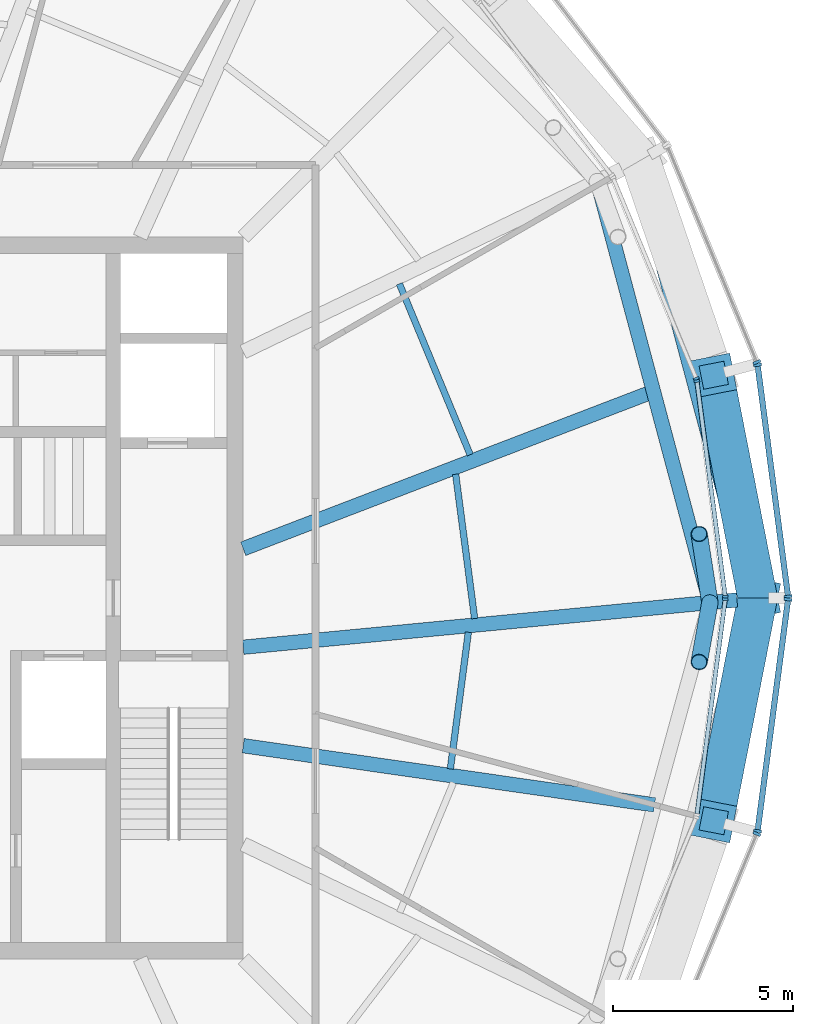
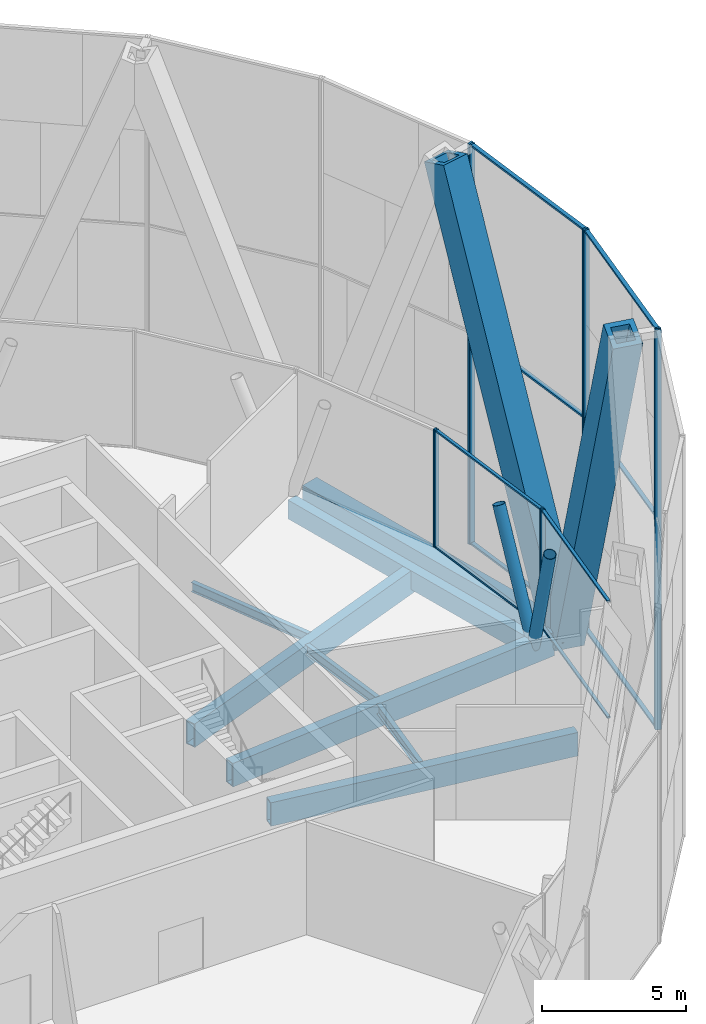
# One storey, part 5 of 15: 24 members, 8 beams, 7 elements without a shape of their own.
"""IFC4 building model written with IfcOpenShell, lengths in metres."""

import ifcopenshell
import ifcopenshell.guid

model = None  # the IFC model being written
_history = None  # IfcOwnerHistory: only IFC2X3 demands one
_inside = {}  # id of a spatial element -> (the spatial element, [elements in it])
_under = {}  # id of a project, library or spatial element -> (it, [spatial elements below it])
_declared = {}  # id of a project -> (the project, [libraries it declares])
_typed = {}  # id of a type object -> (the type object, [elements of that type])
_made_of = {}  # id of a material, layer set ... -> (it, [elements and type objects made of it])


def new_model(schema):
    """Start an empty IFC model of exactly this schema.

    Asked for "IFC4X3", IfcOpenShell would pick the latest addendum, in which some entities
    have other attributes; the version numbers below select the first issue.
    IFC2X3 requires an IfcOwnerHistory on every rooted entity: one is made here for all.
    """
    global model, _history
    if schema == "IFC4X3":
        model = ifcopenshell.file(schema_version=(4, 3, 0, 0))
    else:
        model = ifcopenshell.file(schema=schema)
    _inside.clear()
    _under.clear()
    _declared.clear()
    _typed.clear()
    _made_of.clear()
    _history = None
    if model.schema == "IFC2X3":
        org = make("IfcOrganization", Name="unknown")
        user = make(
            "IfcPersonAndOrganization",
            ThePerson=make("IfcPerson", FamilyName="unknown"),
            TheOrganization=org,
        )
        app = make(
            "IfcApplication",
            ApplicationDeveloper=org,
            Version="unknown",
            ApplicationFullName="unknown",
            ApplicationIdentifier="unknown",
        )
        _history = make(
            "IfcOwnerHistory",
            OwningUser=user,
            OwningApplication=app,
            ChangeAction="ADDED",
            CreationDate=0,
        )
    return model


def make(cls, **values):
    """One entity of the class cls with the attributes given. An attribute that is None is left unset."""
    return model.create_entity(
        cls, **{name: value for name, value in values.items() if value is not None}
    )


def rooted(cls, **values):
    """An entity with a GlobalId (a new one), such as an element, a storey or a relation."""
    return make(cls, GlobalId=ifcopenshell.guid.new(), OwnerHistory=_history, **values)


def si_unit(unit_type, name, prefix=None):
    """IfcSIUnit, for example si_unit("LENGTHUNIT", "METRE", prefix="MILLI")."""
    return make("IfcSIUnit", UnitType=unit_type, Prefix=prefix, Name=name)


def assignment(units):
    """IfcUnitAssignment: the units of a project."""
    return None if units is None else make("IfcUnitAssignment", Units=units)


def point(xyz):
    """IfcCartesianPoint."""
    return None if xyz is None else make("IfcCartesianPoint", Coordinates=xyz)


def direction(xyz):
    """IfcDirection."""
    return None if xyz is None else make("IfcDirection", DirectionRatios=xyz)


def frame(location, z_axis=None, x_axis=None):
    """IfcAxis2Placement3D, a coordinate frame: its origin and axes. An axis left out is left unset."""
    return make(
        "IfcAxis2Placement3D",
        Location=point(location),
        Axis=direction(z_axis),
        RefDirection=direction(x_axis),
    )


def frame_2d(location, x_axis=None):
    """IfcAxis2Placement2D, a coordinate frame in the plane: its origin and x axis."""
    return make(
        "IfcAxis2Placement2D", Location=point(location), RefDirection=direction(x_axis)
    )


def origin():
    """The frame at (0, 0, 0) with its axes left unset."""
    return frame((0.0, 0.0, 0.0))


def origin_2d():
    """The frame at (0, 0) in the plane with its x axis left unset."""
    return frame_2d((0.0, 0.0))


def place(relative_to, where):
    """IfcLocalPlacement: puts the frame where relative to a parent placement (None: the world)."""
    return make(
        "IfcLocalPlacement", PlacementRelTo=relative_to, RelativePlacement=where
    )


def context(
    kind, dimensions, precision=None, world=None, true_north=None, identifier=None
):
    """IfcGeometricRepresentationContext, for example the 3D "Model" context."""
    return make(
        "IfcGeometricRepresentationContext",
        ContextIdentifier=identifier,
        ContextType=kind,
        CoordinateSpaceDimension=dimensions,
        Precision=precision,
        WorldCoordinateSystem=world,
        TrueNorth=true_north,
    )


def subcontext(parent, identifier, kind, view, scale=None):
    """IfcGeometricRepresentationSubContext, for example "Body" below "Model"."""
    return make(
        "IfcGeometricRepresentationSubContext",
        ContextIdentifier=identifier,
        ContextType=kind,
        ParentContext=parent,
        TargetScale=scale,
        TargetView=view,
    )


def project(units=None, contexts=None):
    """IfcProject with its units and contexts."""
    return rooted(
        "IfcProject",
        Name="project",
        RepresentationContexts=contexts,
        UnitsInContext=assignment(units),
    )


def spatial(cls, under=None, at=None, **own):
    """A site, building, storey or space (cls), placed at a placement, below another one or the project."""
    s = rooted(cls, ObjectPlacement=at, **own)
    if under is not None:
        _under.setdefault(under.id(), (under, []))[1].append(s)
    return s


def profile(cls, at=None, kind="AREA", **sizes):
    """A parametric profile (cls). Its sizes go by their IFC names, for example OverallWidth=200.0."""
    return make(cls, ProfileType=kind, Position=at, **sizes)


def rectangle(**sizes):
    """IfcRectangleProfileDef."""
    return profile("IfcRectangleProfileDef", **sizes)


def hollow_rectangle(**sizes):
    """IfcRectangleHollowProfileDef."""
    return profile("IfcRectangleHollowProfileDef", **sizes)


def hollow_circle(**sizes):
    """IfcCircleHollowProfileDef."""
    return profile("IfcCircleHollowProfileDef", **sizes)


def i_section(**sizes):
    """IfcIShapeProfileDef."""
    return profile("IfcIShapeProfileDef", **sizes)


def extrude(swept, where, along, depth):
    """IfcExtrudedAreaSolid: the profile swept, set in the frame where, extruded along a direction by depth."""
    return make(
        "IfcExtrudedAreaSolid",
        SweptArea=swept,
        Position=where,
        ExtrudedDirection=direction(along),
        Depth=depth,
    )


def shape(context_of_items, identifier, shape_type, items):
    """IfcShapeRepresentation: the items that make up one representation, for example the "Body"."""
    return make(
        "IfcShapeRepresentation",
        ContextOfItems=context_of_items,
        RepresentationIdentifier=identifier,
        RepresentationType=shape_type,
        Items=items,
    )


def material(Name=None, Category=None):
    """IfcMaterial."""
    return make("IfcMaterial", Name=Name, Category=Category)


def material_profile(
    of_material, cross_section, Name=None, Category=None, Priority=None
):
    """IfcMaterialProfile: a cross section and its material."""
    return make(
        "IfcMaterialProfile",
        Name=Name,
        Material=of_material,
        Profile=cross_section,
        Priority=Priority,
        Category=Category,
    )


def profile_set(profiles, Name=None, composite=None):
    """IfcMaterialProfileSet."""
    return make(
        "IfcMaterialProfileSet",
        Name=Name,
        MaterialProfiles=profiles,
        CompositeProfile=composite,
    )


def made_of(thing, what):
    """Note that an element or type object is made of a material, layer set ...; save() writes the relation."""
    if what is not None:
        _made_of.setdefault(what.id(), (what, []))[1].append(thing)
    return thing


def type_object(cls, material=None, **own):
    """A type object (cls), such as IfcWallType, which elements share."""
    return made_of(rooted(cls, **own), material)


def element(
    cls,
    number,
    at=None,
    inside=None,
    cuts=None,
    type_object=None,
    material=None,
    context=None,
    identifier="Body",
    shape_type=None,
    held_by="IfcProductDefinitionShape",
    body=None,
    shapes=None,
    **own,
):
    """One element of the class cls, such as IfcWall. Its Tag is "e" and its number.

    at: its placement. inside: the storey or other place that contains it. cuts: it is an
    opening in that element (IfcRelVoidsElement). A single representation is given by context,
    identifier, shape_type and body (its items); several are given by shapes. held_by: the class
    of the entity that holds the representations. save() writes the other relations.
    """
    e = rooted(cls, Tag="e%d" % number, ObjectPlacement=at, **own)
    if body is not None:
        shapes = [shape(context, identifier, shape_type, body)]
    if shapes is not None:
        e.Representation = make(held_by, Representations=shapes)
    if inside is not None:
        _inside.setdefault(inside.id(), (inside, []))[1].append(e)
    if cuts is not None:
        rooted(
            "IfcRelVoidsElement", RelatingBuildingElement=cuts, RelatedOpeningElement=e
        )
    if type_object is not None:
        _typed.setdefault(type_object.id(), (type_object, []))[1].append(e)
    return made_of(e, material)


def aggregate(whole, parts):
    """IfcRelAggregates: a whole, such as a stair, and the parts it consists of."""
    return rooted("IfcRelAggregates", RelatingObject=whole, RelatedObjects=parts)


def save(model, path):
    """Write the relations noted so far, then the file.

    IfcRelAggregates (storeys below a building ...), IfcRelContainedInSpatialStructure (elements
    in a storey), IfcRelDefinesByType, IfcRelAssociatesMaterial and IfcRelDeclares: one each for
    every whole, place, type object, material and project.
    """
    for whole, parts in _under.values():
        aggregate(whole, parts)
    for where, things in _inside.values():
        rooted(
            "IfcRelContainedInSpatialStructure",
            RelatedElements=things,
            RelatingStructure=where,
        )
    for kind, things in _typed.values():
        rooted("IfcRelDefinesByType", RelatedObjects=things, RelatingType=kind)
    for what, things in _made_of.values():
        rooted("IfcRelAssociatesMaterial", RelatedObjects=things, RelatingMaterial=what)
    for by, libraries in _declared.values():
        rooted("IfcRelDeclares", RelatingContext=by, RelatedDefinitions=libraries)
    model.write(path)


model = new_model("IFC4")

# Units and contexts
model_context = context("Model", 3, precision=1e-05, world=origin(), true_north=direction((0.0, 1.0)))
body_context = subcontext(model_context, "Body", "Model", "MODEL_VIEW")
ifc_project = project(units=[si_unit("LENGTHUNIT", "METRE"), si_unit("AREAUNIT", "SQUARE_METRE"), si_unit("VOLUMEUNIT", "CUBIC_METRE"), si_unit("PLANEANGLEUNIT", "RADIAN"), si_unit("MASSUNIT", "GRAM", prefix="KILO")], contexts=[model_context])

# Site, building, storey
site_placement = place(None, origin())
site = spatial("IfcSite", under=ifc_project, at=site_placement, CompositionType="ELEMENT")
building_placement = place(site_placement, origin())
building = spatial("IfcBuilding", under=site, at=building_placement, Name="Golbaran Civic Tower", CompositionType="ELEMENT")
storey_placement = place(building_placement, frame((0.0, 0.0, 215.0)))
storey = spatial("IfcBuildingStorey", under=building, at=storey_placement, Name="L52", CompositionType="ELEMENT", Elevation=215.0)

# Members
ifc_material_1 = material(Name="Steel S355", Category="steel")
ifc_material_profile_1 = material_profile(ifc_material_1, hollow_circle(Radius=0.228515625, WallThickness=0.02001953125, at=origin_2d()), Name="CHS 457.0x20")
ifc_profile_set_1 = profile_set([ifc_material_profile_1], Name="Steel S355")
member_type_1 = type_object("IfcMemberType", Name="BELT TRUSS DIAGONAL CHS 457.0x20", PredefinedType="BRACE", material=ifc_profile_set_1)
member_1_placement = place(storey_placement, frame((22.934814453125, -0.12646484375, -0.60009765625), z_axis=(-0.055639608411, 0.354890475268, 0.933250761875), x_axis=(-0.987932089453, -0.154887658092, 0.0)))
element("IfcMember", 1, at=member_1_placement, inside=storey, type_object=member_type_1, Name="Belt truss diagonal 0.00R L52", PredefinedType="BRACE", context=body_context, shape_type="SweptSolid", body=[
    extrude(hollow_circle(Radius=0.228515625, WallThickness=0.02001953125, at=origin_2d()), origin(), (0.0, 0.0, 1.0), 5.357666015625),
])
member_2_placement = place(storey_placement, frame((22.934814453125, -0.12646484375, -0.60009765625), z_axis=(-0.056530761849, -0.312609094187, 0.948198200376), x_axis=(0.98403968952, -0.177949120395, 0.0)))
element("IfcMember", 2, at=member_2_placement, inside=storey, type_object=member_type_1, Name="Belt truss diagonal 0.00L L52", PredefinedType="BRACE", context=body_context, shape_type="SweptSolid", body=[
    extrude(hollow_circle(Radius=0.228515625, WallThickness=0.02001953125, at=origin_2d()), origin(), (0.0, 0.0, 1.0), 5.273193359375),
])
ifc_material_profile_2 = material_profile(ifc_material_1, hollow_rectangle(XDim=1.10009765625, YDim=1.10009765625, WallThickness=0.199951171875, at=origin_2d()), Name="BOX 1100x1100x200")
ifc_profile_set_2 = profile_set([ifc_material_profile_2], Name="Steel S355")
member_type_2 = type_object("IfcMemberType", Name="DIAGRID DIAGONAL BOX 1100x1100x200", PredefinedType="BRACE", material=ifc_profile_set_2)
for number, where, z_axis, x_axis, name in (
    (3, (24.256103515625, 0.0, -0.7099609375), (-0.066964133715, 0.340598547368, 0.937821109981), (-0.981215652591, -0.192914082197, 0.0), "Diagonal D12-00R L52-L56"),
    (4, (24.256103515625, 0.0, -0.7099609375), (-0.066964133715, -0.340598547368, 0.937821109981), (0.981215652591, -0.192914082197, 0.0), "Diagonal D12-00L L52-L56"),
):
    element("IfcMember", number, at=place(storey_placement, frame(where, z_axis=z_axis, x_axis=x_axis)), inside=storey, type_object=member_type_2, Name=name, PredefinedType="BRACE", context=body_context, shape_type="SweptSolid", body=[
        extrude(hollow_rectangle(XDim=1.10009765625, YDim=1.10009765625, WallThickness=0.199951171875, at=origin_2d()), origin(), (0.0, 0.0, 1.0), 18.127197265625),
    ])

# Beams
ifc_material_profile_3 = material_profile(ifc_material_1, hollow_rectangle(XDim=0.699951171875, YDim=0.699951171875, WallThickness=0.080078125, at=origin_2d()), Name="BOX 700x700x80")
ifc_profile_set_3 = profile_set([ifc_material_profile_3], Name="Steel S355")
beam_type_1 = type_object("IfcBeamType", Name="DIAGRID RING TIE BOX 700x700x80", PredefinedType="BEAM", material=ifc_profile_set_3)
beam_1_placement = place(storey_placement, frame((24.256103515625, 0.0, -0.7099609375), z_axis=(-0.258825502121, 0.965924096113, 0.0), x_axis=(-0.965924096113, -0.258825502121, 0.0)))
element("IfcBeam", 5, at=beam_1_placement, inside=storey, type_object=beam_type_1, Name="Ring tie 0.00 L52", PredefinedType="BEAM", context=body_context, shape_type="SweptSolid", body=[
    extrude(hollow_rectangle(XDim=0.699951171875, YDim=0.699951171875, WallThickness=0.080078125, at=origin_2d()), origin(), (0.0, 0.0, 1.0), 12.5556640625),
])
ifc_material_profile_4 = material_profile(ifc_material_1, hollow_rectangle(XDim=0.39990234375, YDim=0.800048828125, WallThickness=0.0400390625, at=origin_2d()), Name="BOX 800x400x40")
ifc_profile_set_4 = profile_set([ifc_material_profile_4], Name="Steel S355")
beam_type_2 = type_object("IfcBeamType", Name="EDGE BEAM BOX 800x400x40", PredefinedType="BEAM", material=ifc_profile_set_4)
beam_2_placement = place(storey_placement, frame((22.8876953125, 0.0498046875, -0.60009765625), z_axis=(-0.258227728075, 0.966084075251, 0.0), x_axis=(-0.966084075251, -0.258227728075, 0.0)))
element("IfcBeam", 6, at=beam_2_placement, inside=storey, type_object=beam_type_2, Name="Edge beam 0.00 L52", PredefinedType="BEAM", context=body_context, shape_type="SweptSolid", body=[
    extrude(hollow_rectangle(XDim=0.39990234375, YDim=0.800048828125, WallThickness=0.0400390625, at=origin_2d()), origin(), (0.0, 0.0, 1.0), 11.7236328125),
])
ifc_material_profile_5 = material_profile(ifc_material_1, i_section(OverallWidth=0.179931640625, OverallDepth=0.39990234375, WebThickness=0.008544921875, FlangeThickness=0.013427734375, FilletRadius=0.02099609375, at=origin_2d()), Name="IPE 400")
ifc_profile_set_5 = profile_set([ifc_material_profile_5], Name="Steel S355")
beam_type_3 = type_object("IfcBeamType", Name="FLOOR INFILL BEAM IPE 400", PredefinedType="BEAM", material=ifc_profile_set_5)
beam_3_placement = place(storey_placement, frame((16.41455078125, -0.569580078125, -0.39990234375), z_axis=(-0.130534349596, 0.991443787401, 0.0), x_axis=(-0.991443787401, -0.130534349596, 0.0)))
element("IfcBeam", 7, at=beam_3_placement, inside=storey, type_object=beam_type_3, Name="Infill beam 7.50 L52", PredefinedType="BEAM", context=body_context, shape_type="SweptSolid", body=[
    extrude(i_section(OverallWidth=0.179931640625, OverallDepth=0.39990234375, WebThickness=0.008544921875, FlangeThickness=0.013427734375, FilletRadius=0.02099609375, at=origin_2d()), origin(), (0.0, 0.0, 1.0), 4.0341796875),
])
beam_4_placement = place(storey_placement, frame((16.291015625, 3.970458984375, -0.39990234375), z_axis=(-0.382657320413, 0.923890348004, 0.0), x_axis=(-0.923890348004, -0.382657320413, 0.0)))
element("IfcBeam", 8, at=beam_4_placement, inside=storey, type_object=beam_type_3, Name="Infill beam 22.50 L52", PredefinedType="BEAM", context=body_context, shape_type="SweptSolid", body=[
    extrude(i_section(OverallWidth=0.179931640625, OverallDepth=0.39990234375, WebThickness=0.008544921875, FlangeThickness=0.013427734375, FilletRadius=0.02099609375, at=origin_2d()), origin(), (0.0, 0.0, 1.0), 5.12841796875),
])
beam_5_placement = place(storey_placement, frame((15.740966796875, -4.73779296875, -0.39990234375), z_axis=(0.130548685387, 0.991441899833, 0.0), x_axis=(-0.991441899833, 0.130548685387, 0.0)))
element("IfcBeam", 9, at=beam_5_placement, inside=storey, type_object=beam_type_3, Name="Infill beam 352.50 L52", PredefinedType="BEAM", context=body_context, shape_type="SweptSolid", body=[
    extrude(i_section(OverallWidth=0.179931640625, OverallDepth=0.39990234375, WebThickness=0.008544921875, FlangeThickness=0.013427734375, FilletRadius=0.02099609375, at=origin_2d()), origin(), (0.0, 0.0, 1.0), 3.822509765625),
])

# Curtain wall, members
ifc_material_2 = material(Name="Aluminium and glass", Category="aluminium")
curtain_wall_type_1 = type_object("IfcCurtainWallType", Name="OUTER SKIN TERRACOTTA SCREEN", PredefinedType="NOTDEFINED", material=ifc_material_2)
curtain_wall_1_placement = place(storey_placement, origin())
curtain_wall_1 = element("IfcCurtainWall", 10, at=curtain_wall_1_placement, inside=storey, type_object=curtain_wall_type_1, Name="Outer skin L52 facet 1 CW3", ObjectType="OUTER SKIN", PredefinedType="USERDEFINED")
ifc_material_3 = material(Name="Aluminium", Category="aluminium")
ifc_material_profile_6 = material_profile(ifc_material_3, rectangle(XDim=0.219970703125, YDim=0.080078125, at=origin_2d()), Name="OUTER SKIN TERRACOTTA SCREEN MULLION")
ifc_profile_set_6 = profile_set([ifc_material_profile_6], Name="Aluminium")
member_type_3 = type_object("IfcMemberType", Name="OUTER SKIN TERRACOTTA SCREEN MULLION", PredefinedType="MULLION", material=ifc_profile_set_6)
member_3_placement = place(storey_placement, frame((25.100830078125, 0.03955078125, -0.7099609375), z_axis=(0.0, 0.0, 1.0), x_axis=(-0.991444861376, -0.130526192203, 0.0)))
member_3 = element("IfcMember", 11, at=member_3_placement, type_object=member_type_3, Name="CW3 mullion 1", PredefinedType="MULLION", context=body_context, shape_type="SweptSolid", body=[
    extrude(rectangle(XDim=0.219970703125, YDim=0.080078125, at=origin_2d()), origin(), (0.0, 0.0, 1.0), 17.0),
])
member_4_placement = place(storey_placement, frame((24.255859375, 6.458251953125, -0.7099609375), z_axis=(0.0, 0.0, 1.0), x_axis=(-0.991444861376, -0.130526192203, 0.0)))
member_4 = element("IfcMember", 12, at=member_4_placement, type_object=member_type_3, Name="CW3 mullion 2", PredefinedType="MULLION", context=body_context, shape_type="SweptSolid", body=[
    extrude(rectangle(XDim=0.219970703125, YDim=0.080078125, at=origin_2d()), origin(), (0.0, 0.0, 1.0), 17.0),
])

# Curtain wall, member
curtain_wall_2_placement = place(storey_placement, origin())
curtain_wall_2 = element("IfcCurtainWall", 13, at=curtain_wall_2_placement, inside=storey, type_object=curtain_wall_type_1, Name="Outer skin L52 facet 2 CW3", ObjectType="OUTER SKIN", PredefinedType="USERDEFINED")
member_5_placement = place(storey_placement, frame((24.235107421875, 6.534912109375, -0.7099609375), z_axis=(0.0, 0.0, 1.0), x_axis=(-0.923879532485, -0.38268343243, 0.0)))
member_5 = element("IfcMember", 14, at=member_5_placement, type_object=member_type_3, Name="CW3 mullion 1", PredefinedType="MULLION", context=body_context, shape_type="SweptSolid", body=[
    extrude(rectangle(XDim=0.219970703125, YDim=0.080078125, at=origin_2d()), origin(), (0.0, 0.0, 1.0), 17.0),
])
aggregate(curtain_wall_2, [member_5])

curtain_wall_3_placement = place(storey_placement, origin())
curtain_wall_3 = element("IfcCurtainWall", 15, at=curtain_wall_3_placement, inside=storey, type_object=curtain_wall_type_1, Name="Outer skin L52 facet 23 CW3", ObjectType="OUTER SKIN", PredefinedType="USERDEFINED")
member_6_placement = place(storey_placement, frame((24.235107421875, -6.534912109375, -0.7099609375), z_axis=(0.0, 0.0, 1.0), x_axis=(-0.923879532485, 0.38268343243, 0.0)))
member_6 = element("IfcMember", 16, at=member_6_placement, type_object=member_type_3, Name="CW3 mullion 2", PredefinedType="MULLION", context=body_context, shape_type="SweptSolid", body=[
    extrude(rectangle(XDim=0.219970703125, YDim=0.080078125, at=origin_2d()), origin(), (0.0, 0.0, 1.0), 17.0),
])
aggregate(curtain_wall_3, [member_6])

# Curtain wall, members
curtain_wall_4_placement = place(storey_placement, origin())
curtain_wall_4 = element("IfcCurtainWall", 17, at=curtain_wall_4_placement, inside=storey, type_object=curtain_wall_type_1, Name="Outer skin L52 facet 24 CW3", ObjectType="OUTER SKIN", PredefinedType="USERDEFINED")
member_7_placement = place(storey_placement, frame((24.255859375, -6.458251953125, -0.7099609375), z_axis=(0.0, 0.0, 1.0), x_axis=(-0.991444861376, 0.130526192203, 0.0)))
member_7 = element("IfcMember", 18, at=member_7_placement, type_object=member_type_3, Name="CW3 mullion 1", PredefinedType="MULLION", context=body_context, shape_type="SweptSolid", body=[
    extrude(rectangle(XDim=0.219970703125, YDim=0.080078125, at=origin_2d()), origin(), (0.0, 0.0, 1.0), 17.0),
])
member_8_placement = place(storey_placement, frame((25.100830078125, -0.03955078125, -0.7099609375), z_axis=(0.0, 0.0, 1.0), x_axis=(-0.991444861376, 0.130526192203, 0.0)))
member_8 = element("IfcMember", 19, at=member_8_placement, type_object=member_type_3, Name="CW3 mullion 2", PredefinedType="MULLION", context=body_context, shape_type="SweptSolid", body=[
    extrude(rectangle(XDim=0.219970703125, YDim=0.080078125, at=origin_2d()), origin(), (0.0, 0.0, 1.0), 17.0),
])

# Member
ifc_material_profile_7 = material_profile(ifc_material_3, rectangle(XDim=0.159912109375, YDim=0.080078125, at=origin_2d()), Name="OUTER SKIN TERRACOTTA SCREEN TRANSOM")
ifc_profile_set_7 = profile_set([ifc_material_profile_7], Name="Aluminium")
member_type_4 = type_object("IfcMemberType", Name="OUTER SKIN TERRACOTTA SCREEN TRANSOM", PredefinedType="USERDEFINED", material=ifc_profile_set_7)
member_9_placement = place(storey_placement, frame((25.095458984375, 0.079345703125, -0.669921875), z_axis=(-0.130507848345, 0.991447276218, 0.0), x_axis=(-0.991447276218, -0.130507848345, 0.0)))
member_9 = element("IfcMember", 20, at=member_9_placement, type_object=member_type_4, Name="CW3 transom 1.1", ObjectType="TRANSOM", PredefinedType="USERDEFINED", context=body_context, shape_type="SweptSolid", body=[
    extrude(rectangle(XDim=0.159912109375, YDim=0.080078125, at=origin_2d()), origin(), (0.0, 0.0, 1.0), 6.39404296875),
])

member_10_placement = place(storey_placement, frame((25.095458984375, 0.079345703125, 8.2900390625), z_axis=(-0.130507848345, 0.991447276218, 0.0), x_axis=(-0.991447276218, -0.130507848345, 0.0)))
member_10 = element("IfcMember", 21, at=member_10_placement, type_object=member_type_4, Name="CW3 transom 1.2", ObjectType="TRANSOM", PredefinedType="USERDEFINED", context=body_context, shape_type="SweptSolid", body=[
    extrude(rectangle(XDim=0.159912109375, YDim=0.080078125, at=origin_2d()), origin(), (0.0, 0.0, 1.0), 6.39404296875),
])

member_11_placement = place(storey_placement, frame((25.095458984375, 0.079345703125, 16.25), z_axis=(-0.130507848345, 0.991447276218, 0.0), x_axis=(-0.991447276218, -0.130507848345, 0.0)))
member_11 = element("IfcMember", 22, at=member_11_placement, type_object=member_type_4, Name="CW3 transom 1.3", ObjectType="TRANSOM", PredefinedType="USERDEFINED", context=body_context, shape_type="SweptSolid", body=[
    extrude(rectangle(XDim=0.159912109375, YDim=0.080078125, at=origin_2d()), origin(), (0.0, 0.0, 1.0), 6.39404296875),
])

aggregate(curtain_wall_1, [member_3, member_4, member_9, member_10, member_11])

member_12_placement = place(storey_placement, frame((24.260986328125, -6.418701171875, -0.669921875), z_axis=(0.130507848345, 0.991447276218, 0.0), x_axis=(-0.991447276218, 0.130507848345, 0.0)))
member_12 = element("IfcMember", 23, at=member_12_placement, type_object=member_type_4, Name="CW3 transom 1.1", ObjectType="TRANSOM", PredefinedType="USERDEFINED", context=body_context, shape_type="SweptSolid", body=[
    extrude(rectangle(XDim=0.159912109375, YDim=0.080078125, at=origin_2d()), origin(), (0.0, 0.0, 1.0), 6.39404296875),
])

member_13_placement = place(storey_placement, frame((24.260986328125, -6.418701171875, 8.2900390625), z_axis=(0.130507848345, 0.991447276218, 0.0), x_axis=(-0.991447276218, 0.130507848345, 0.0)))
member_13 = element("IfcMember", 24, at=member_13_placement, type_object=member_type_4, Name="CW3 transom 1.2", ObjectType="TRANSOM", PredefinedType="USERDEFINED", context=body_context, shape_type="SweptSolid", body=[
    extrude(rectangle(XDim=0.159912109375, YDim=0.080078125, at=origin_2d()), origin(), (0.0, 0.0, 1.0), 6.39404296875),
])

member_14_placement = place(storey_placement, frame((24.260986328125, -6.418701171875, 16.25), z_axis=(0.130507848345, 0.991447276218, 0.0), x_axis=(-0.991447276218, 0.130507848345, 0.0)))
member_14 = element("IfcMember", 25, at=member_14_placement, type_object=member_type_4, Name="CW3 transom 1.3", ObjectType="TRANSOM", PredefinedType="USERDEFINED", context=body_context, shape_type="SweptSolid", body=[
    extrude(rectangle(XDim=0.159912109375, YDim=0.080078125, at=origin_2d()), origin(), (0.0, 0.0, 1.0), 6.39404296875),
])

aggregate(curtain_wall_4, [member_7, member_8, member_12, member_13, member_14])

# Curtain wall, members
curtain_wall_type_2 = type_object("IfcCurtainWallType", Name="PLANT FLOOR LOUVRE WALL", PredefinedType="NOTDEFINED", material=ifc_material_2)
curtain_wall_5_placement = place(storey_placement, origin())
curtain_wall_5 = element("IfcCurtainWall", 26, at=curtain_wall_5_placement, inside=storey, type_object=curtain_wall_type_2, Name="Inner skin L52 facet 1 CW6", ObjectType="PLANT LOUVRE WALL", PredefinedType="USERDEFINED")
ifc_material_profile_8 = material_profile(ifc_material_3, rectangle(XDim=0.159912109375, YDim=0.070068359375, at=origin_2d()), Name="PLANT FLOOR LOUVRE WALL MULLION")
ifc_profile_set_8 = profile_set([ifc_material_profile_8], Name="Aluminium")
member_type_5 = type_object("IfcMemberType", Name="PLANT FLOOR LOUVRE WALL MULLION", PredefinedType="MULLION", material=ifc_profile_set_8)
member_15_placement = place(storey_placement, frame((23.3603515625, 0.03466796875, 0.0), z_axis=(0.0, 0.0, 1.0), x_axis=(-0.991444861369, -0.130526192255, 0.0)))
member_15 = element("IfcMember", 27, at=member_15_placement, type_object=member_type_5, Name="CW6 mullion 1", PredefinedType="MULLION", context=body_context, shape_type="SweptSolid", body=[
    extrude(rectangle(XDim=0.159912109375, YDim=0.070068359375, at=origin_2d()), origin(), (0.0, 0.0, 1.0), 5.0),
])
member_16_placement = place(storey_placement, frame((22.573486328125, 6.0126953125, 0.0), z_axis=(0.0, 0.0, 1.0), x_axis=(-0.991444861369, -0.130526192255, 0.0)))
member_16 = element("IfcMember", 28, at=member_16_placement, type_object=member_type_5, Name="CW6 mullion 2", PredefinedType="MULLION", context=body_context, shape_type="SweptSolid", body=[
    extrude(rectangle(XDim=0.159912109375, YDim=0.070068359375, at=origin_2d()), origin(), (0.0, 0.0, 1.0), 5.0),
])

# Curtain wall, member
curtain_wall_6_placement = place(storey_placement, origin())
curtain_wall_6 = element("IfcCurtainWall", 29, at=curtain_wall_6_placement, inside=storey, type_object=curtain_wall_type_2, Name="Inner skin L52 facet 2 CW6", ObjectType="PLANT LOUVRE WALL", PredefinedType="USERDEFINED")
member_17_placement = place(storey_placement, frame((22.555419921875, 6.07958984375, 0.0), z_axis=(0.0, 0.0, 1.0), x_axis=(-0.923879532498, -0.382683432397, 0.0)))
member_17 = element("IfcMember", 30, at=member_17_placement, type_object=member_type_5, Name="CW6 mullion 1", PredefinedType="MULLION", context=body_context, shape_type="SweptSolid", body=[
    extrude(rectangle(XDim=0.159912109375, YDim=0.070068359375, at=origin_2d()), origin(), (0.0, 0.0, 1.0), 5.0),
])
aggregate(curtain_wall_6, [member_17])

curtain_wall_7_placement = place(storey_placement, origin())
curtain_wall_7 = element("IfcCurtainWall", 31, at=curtain_wall_7_placement, inside=storey, type_object=curtain_wall_type_2, Name="Inner skin L52 facet 24 CW6", ObjectType="PLANT LOUVRE WALL", PredefinedType="USERDEFINED")
member_18_placement = place(storey_placement, frame((23.3603515625, -0.03466796875, 0.0), z_axis=(0.0, 0.0, 1.0), x_axis=(-0.991444861369, 0.130526192255, 0.0)))
member_18 = element("IfcMember", 32, at=member_18_placement, type_object=member_type_5, Name="CW6 mullion 2", PredefinedType="MULLION", context=body_context, shape_type="SweptSolid", body=[
    extrude(rectangle(XDim=0.159912109375, YDim=0.070068359375, at=origin_2d()), origin(), (0.0, 0.0, 1.0), 5.0),
])

# Member
ifc_material_profile_9 = material_profile(ifc_material_3, rectangle(XDim=0.1201171875, YDim=0.070068359375, at=origin_2d()), Name="PLANT FLOOR LOUVRE WALL TRANSOM")
ifc_profile_set_9 = profile_set([ifc_material_profile_9], Name="Aluminium")
member_type_6 = type_object("IfcMemberType", Name="PLANT FLOOR LOUVRE WALL TRANSOM", PredefinedType="USERDEFINED", material=ifc_profile_set_9)
member_19_placement = place(storey_placement, frame((23.35595703125, 0.0693359375, 0.034912109375), z_axis=(-0.130556241783, 0.991440904811, 0.0), x_axis=(-0.991440904811, -0.130556241783, 0.0)))
member_19 = element("IfcMember", 33, at=member_19_placement, type_object=member_type_6, Name="CW6 transom 1.1", ObjectType="TRANSOM", PredefinedType="USERDEFINED", context=body_context, shape_type="SweptSolid", body=[
    extrude(rectangle(XDim=0.1201171875, YDim=0.070068359375, at=origin_2d()), origin(), (0.0, 0.0, 1.0), 5.959716796875),
])

member_20_placement = place(storey_placement, frame((23.35595703125, 0.0693359375, 4.965087890625), z_axis=(-0.130556241783, 0.991440904811, 0.0), x_axis=(-0.991440904811, -0.130556241783, 0.0)))
member_20 = element("IfcMember", 34, at=member_20_placement, type_object=member_type_6, Name="CW6 transom 1.2", ObjectType="TRANSOM", PredefinedType="USERDEFINED", context=body_context, shape_type="SweptSolid", body=[
    extrude(rectangle(XDim=0.1201171875, YDim=0.070068359375, at=origin_2d()), origin(), (0.0, 0.0, 1.0), 5.959716796875),
])

aggregate(curtain_wall_5, [member_15, member_16, member_19, member_20])

member_21_placement = place(storey_placement, frame((22.577880859375, -5.97802734375, 0.034912109375), z_axis=(0.130556241783, 0.991440904811, 0.0), x_axis=(-0.991440904811, 0.130556241783, 0.0)))
member_21 = element("IfcMember", 35, at=member_21_placement, type_object=member_type_6, Name="CW6 transom 1.1", ObjectType="TRANSOM", PredefinedType="USERDEFINED", context=body_context, shape_type="SweptSolid", body=[
    extrude(rectangle(XDim=0.1201171875, YDim=0.070068359375, at=origin_2d()), origin(), (0.0, 0.0, 1.0), 5.959716796875),
])

member_22_placement = place(storey_placement, frame((22.577880859375, -5.97802734375, 4.965087890625), z_axis=(0.130556241783, 0.991440904811, 0.0), x_axis=(-0.991440904811, 0.130556241783, 0.0)))
member_22 = element("IfcMember", 36, at=member_22_placement, type_object=member_type_6, Name="CW6 transom 1.2", ObjectType="TRANSOM", PredefinedType="USERDEFINED", context=body_context, shape_type="SweptSolid", body=[
    extrude(rectangle(XDim=0.1201171875, YDim=0.070068359375, at=origin_2d()), origin(), (0.0, 0.0, 1.0), 5.959716796875),
])

aggregate(curtain_wall_7, [member_18, member_21, member_22])

# Beams
ifc_material_profile_10 = material_profile(ifc_material_1, hollow_rectangle(XDim=0.39990234375, YDim=1.0, WallThickness=0.0400390625, at=origin_2d()), Name="BOX 1000x400x40")
ifc_profile_set_10 = profile_set([ifc_material_profile_10], Name="Steel S355")
beam_type_4 = type_object("IfcBeamType", Name="RADIAL FLOOR BEAM BOX 1000x400x40", PredefinedType="BEAM", material=ifc_profile_set_10)
beam_6_placement = place(storey_placement, frame((10.0, -1.3642578125, -0.7099609375), z_axis=(0.995452429313, 0.095259965226, 0.0), x_axis=(-0.095259965226, 0.995452429313, 0.0)))
element("IfcBeam", 37, at=beam_6_placement, inside=storey, type_object=beam_type_4, Name="Radial beam 0.00 L52", PredefinedType="BEAM", context=body_context, shape_type="SweptSolid", body=[
    extrude(hollow_rectangle(XDim=0.39990234375, YDim=1.0, WallThickness=0.0400390625, at=origin_2d()), origin(), (0.0, 0.0, 1.0), 13.747314453125),
])
ifc_material_profile_11 = material_profile(ifc_material_1, hollow_rectangle(XDim=0.39990234375, YDim=1.0, WallThickness=0.0400390625, at=origin_2d()), Name="BOX 1000x400x40")
ifc_profile_set_11 = profile_set([ifc_material_profile_11], Name="Steel S355")
beam_type_5 = type_object("IfcBeamType", Name="SECONDARY FLOOR BEAM BOX 1000x400x40", PredefinedType="BEAM", material=ifc_profile_set_11)
beam_7_placement = place(storey_placement, frame((10.0, 1.3642578125, -0.7099609375), z_axis=(0.933658875223, 0.358163516731, 0.0), x_axis=(-0.358163516731, 0.933658875223, 0.0)))
element("IfcBeam", 38, at=beam_7_placement, inside=storey, type_object=beam_type_5, Name="Secondary beam 15.00 L52", PredefinedType="BEAM", context=body_context, shape_type="SweptSolid", body=[
    extrude(hollow_rectangle(XDim=0.39990234375, YDim=1.0, WallThickness=0.0400390625, at=origin_2d()), origin(), (0.0, 0.0, 1.0), 12.17822265625),
])
beam_8_placement = place(storey_placement, frame((10.0, -4.0927734375, -0.7099609375), z_axis=(0.989789071374, -0.14253979861, 0.0), x_axis=(0.14253979861, 0.989789071374, 0.0)))
element("IfcBeam", 39, at=beam_8_placement, inside=storey, type_object=beam_type_5, Name="Secondary beam 345.00 L52", PredefinedType="BEAM", context=body_context, shape_type="SweptSolid", body=[
    extrude(hollow_rectangle(XDim=0.39990234375, YDim=1.0, WallThickness=0.0400390625, at=origin_2d()), origin(), (0.0, 0.0, 1.0), 11.520263671875),
])

save(model, "model.ifc")
